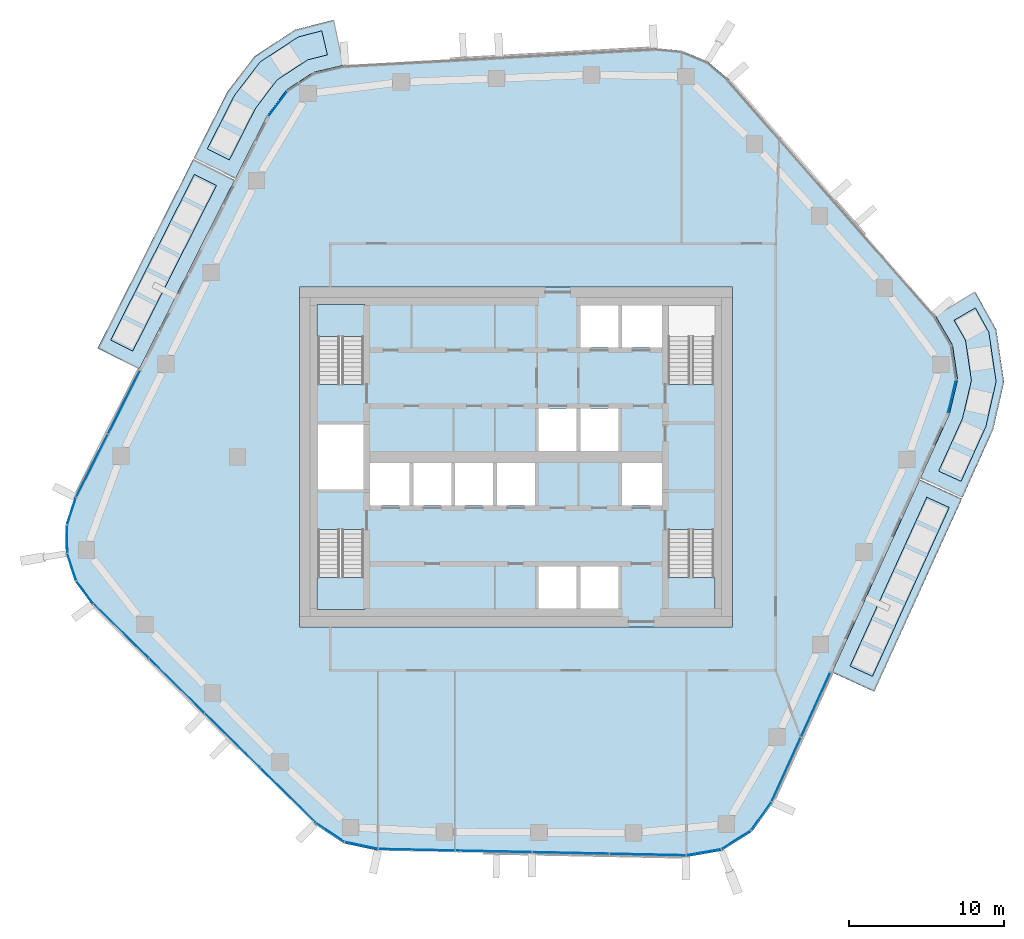
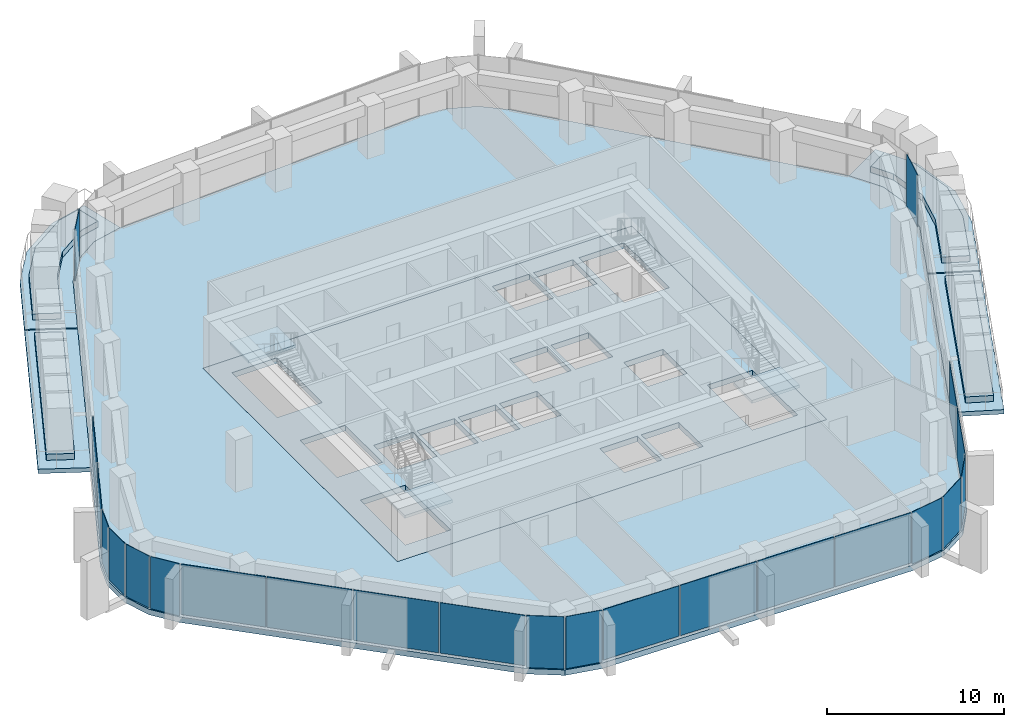
# One storey, part 9 of 21: 23 plates, 13 slabs, 12 elements without a shape of their own.
"""IFC4 building model written with IfcOpenShell, lengths in metres."""

from ifc_helpers import new_model, si_unit, direction, frame, origin, origin_2d, place, context, subcontext, project, spatial, polyline, rectangle, outline, extrude, material, layer, layer_set, type_object, element, aggregate, save


model = new_model("IFC4")

# Units and contexts
model_context = context("Model", 3, precision=1e-05, world=origin(), true_north=direction((0.0, 1.0)))
body_context = subcontext(model_context, "Body", "Model", "MODEL_VIEW")
ifc_project = project(units=[si_unit("LENGTHUNIT", "METRE"), si_unit("AREAUNIT", "SQUARE_METRE"), si_unit("VOLUMEUNIT", "CUBIC_METRE"), si_unit("PLANEANGLEUNIT", "RADIAN"), si_unit("MASSUNIT", "GRAM", prefix="KILO")], contexts=[model_context])

# Site, building, storey
site_placement = place(None, origin())
site = spatial("IfcSite", under=ifc_project, at=site_placement, CompositionType="ELEMENT")
building_placement = place(site_placement, origin())
building = spatial("IfcBuilding", under=site, at=building_placement, Name="Dongbaek Canopy Tower", CompositionType="ELEMENT")
storey_placement = place(building_placement, frame((0.0, 0.0, 279.0)))
storey = spatial("IfcBuildingStorey", under=building, at=storey_placement, Name="L59", CompositionType="ELEMENT", Elevation=279.0)

# Slabs
ifc_material_1 = material(Name="Concrete C40/50", Category="concrete")
ifc_layer_1 = layer(ifc_material_1, 0.300048828125)
ifc_layer_set_1 = layer_set([ifc_layer_1], Name="Balcony slab 300")
slab_type_1 = type_object("IfcSlabType", Name="Balcony slab 300", PredefinedType="FLOOR", material=ifc_layer_set_1)
slab_1_placement = place(storey_placement, frame((0.0, 0.0, -0.300048828125)))
element("IfcSlab", 1, at=slab_1_placement, inside=storey, type_object=slab_type_1, Name="Balcony L59 1", PredefinedType="FLOOR", context=body_context, shape_type="SweptSolid", body=[
    extrude(outline(polyline([(-18.18701171875, 17.911865234375), (-24.368408203125, 5.680419921875), (-27.0458984375, 7.03369140625), (-20.864501953125, 19.26513671875), (-18.18701171875, 17.911865234375)])), origin(), (0.0, 0.0, 1.0), 0.300048828125),
])
slab_2_placement = place(storey_placement, frame((0.0, 0.0, -0.300048828125)))
element("IfcSlab", 2, at=slab_2_placement, inside=storey, type_object=slab_type_1, Name="Balcony L59 4", PredefinedType="FLOOR", context=body_context, shape_type="SweptSolid", body=[
    extrude(outline(polyline([(-11.111572265625, 25.3369140625), (-13.093505859375, 24.873779296875), (-14.839111328125, 23.73291015625), (-16.0888671875, 22.0634765625), (-18.141845703125, 18.001220703125), (-20.8193359375, 19.354248046875), (-18.63818359375, 23.64501953125), (-16.891845703125, 25.920654296875), (-14.2734375, 27.632080078125), (-11.794189453125, 28.258056640625), (-11.111572265625, 25.3369140625)])), origin(), (0.0, 0.0, 1.0), 0.300048828125),
])
slab_3_placement = place(storey_placement, frame((0.0, 0.0, -0.300048828125)))
element("IfcSlab", 3, at=slab_3_placement, inside=storey, type_object=slab_type_1, Name="Balcony L59 2", PredefinedType="FLOOR", context=body_context, shape_type="SweptSolid", body=[
    extrude(outline(polyline([(20.439208984375, -13.92578125), (26.107177734375, -1.45751953125), (28.838134765625, -2.698974609375), (23.170166015625, -15.167236328125), (20.439208984375, -13.92578125)])), origin(), (0.0, 0.0, 1.0), 0.300048828125),
])
slab_4_placement = place(storey_placement, frame((0.0, 0.0, -0.300048828125)))
element("IfcSlab", 4, at=slab_4_placement, inside=storey, type_object=slab_type_1, Name="Balcony L59 3", PredefinedType="FLOOR", context=body_context, shape_type="SweptSolid", body=[
    extrude(outline(polyline([(26.1484375, -1.366455078125), (28.031005859375, 2.7744140625), (28.562744140625, 4.989501953125), (28.230712890625, 7.243408203125), (27.107421875, 9.167724609375), (29.698486328125, 10.679931640625), (31.0615234375, 8.236328125), (31.559814453125, 4.855712890625), (30.867919921875, 1.799072265625), (28.879638671875, -2.60791015625), (26.1484375, -1.366455078125)])), origin(), (0.0, 0.0, 1.0), 0.300048828125),
])

# Curtain wall, plate
ifc_material_2 = material(Name="Aluminium 6063-T6 pale anodised", Category="aluminium")
ifc_layer_2 = layer(ifc_material_2, 0.199951171875)
ifc_layer_set_2 = layer_set([ifc_layer_2], Name="CW-1 unitised tower curtain wall")
curtain_wall_type = type_object("IfcCurtainWallType", Name="CW-1 unitised tower curtain wall", PredefinedType="NOTDEFINED", material=ifc_layer_set_2)
curtain_wall_1_placement = place(storey_placement, origin())
curtain_wall_1 = element("IfcCurtainWall", 5, at=curtain_wall_1_placement, inside=storey, type_object=curtain_wall_type, Name="CW-1 curtain wall K0.1", PredefinedType="NOTDEFINED")
ifc_material_3 = material(Name="Clear laminated glass", Category="glass")
ifc_layer_3 = layer(ifc_material_3, 0.028076171875)
ifc_layer_set_3 = layer_set([ifc_layer_3], Name="CW-1 glazed panel 28")
plate_type = type_object("IfcPlateType", Name="CW-1 glazed panel 28", PredefinedType="CURTAIN_PANEL", material=ifc_layer_set_3)
plate_1_placement = place(storey_placement, frame((28.198486328125, 3.900634765625, 0.0), z_axis=(0.0, 0.0, 1.0), x_axis=(0.233489870394, 0.972359234246, 0.0)))
plate_1 = element("IfcPlate", 6, at=plate_1_placement, type_object=plate_type, Name="CW-1 panel K0.1.1.1", PredefinedType="CURTAIN_PANEL", context=body_context, shape_type="SweptSolid", body=[
    extrude(rectangle(XDim=2.165283203125, YDim=0.028076171875, at=origin_2d()), origin(), (0.0, 0.0, 1.0), 3.60009765625),
])
aggregate(curtain_wall_1, [plate_1])

curtain_wall_2_placement = place(storey_placement, origin())
curtain_wall_2 = element("IfcCurtainWall", 7, at=curtain_wall_2_placement, inside=storey, type_object=curtain_wall_type, Name="CW-1 curtain wall K2.1b", PredefinedType="NOTDEFINED")
plate_2_placement = place(storey_placement, frame((-15.38671875, 22.834716796875, 0.0), z_axis=(0.0, 0.0, 1.0), x_axis=(-0.599281765979, -0.800538172085, 0.0)))
plate_2 = element("IfcPlate", 8, at=plate_2_placement, type_object=plate_type, Name="CW-1 panel K2.1b.2.1", PredefinedType="CURTAIN_PANEL", context=body_context, shape_type="SweptSolid", body=[
    extrude(rectangle(XDim=1.974853515625, YDim=0.028076171875, at=origin_2d()), origin(), (0.0, 0.0, 1.0), 3.60009765625),
])
aggregate(curtain_wall_2, [plate_2])

# Curtain wall, plates
curtain_wall_3_placement = place(storey_placement, origin())
curtain_wall_3 = element("IfcCurtainWall", 9, at=curtain_wall_3_placement, inside=storey, type_object=curtain_wall_type, Name="CW-1 curtain wall F2.1", PredefinedType="NOTDEFINED")
plate_3_placement = place(storey_placement, frame((-25.339599609375, 3.537353515625, 0.1201171875), z_axis=(0.0, 0.0, 1.0), x_axis=(-0.45104664665, -0.892500376776, 0.0)))
plate_3 = element("IfcPlate", 10, at=plate_3_placement, type_object=plate_type, Name="CW-1 panel F2.1.1.1", PredefinedType="CURTAIN_PANEL", context=body_context, shape_type="SweptSolid", body=[
    extrude(rectangle(XDim=4.517578125, YDim=0.028076171875, at=origin_2d()), origin(), (0.0, 0.0, 1.0), 3.47998046875),
])
plate_4_placement = place(storey_placement, frame((-27.413330078125, -0.566162109375, 0.1201171875), z_axis=(0.0, 0.0, 1.0), x_axis=(-0.45104664665, -0.892500376776, 0.0)))
plate_4 = element("IfcPlate", 11, at=plate_4_placement, type_object=plate_type, Name="CW-1 panel F2.1.2.1", PredefinedType="CURTAIN_PANEL", context=body_context, shape_type="SweptSolid", body=[
    extrude(rectangle(XDim=4.509765625, YDim=0.028076171875, at=origin_2d()), origin(), (0.0, 0.0, 1.0), 3.47998046875),
])
aggregate(curtain_wall_3, [plate_3, plate_4])

curtain_wall_4_placement = place(storey_placement, origin())
curtain_wall_4 = element("IfcCurtainWall", 12, at=curtain_wall_4_placement, inside=storey, type_object=curtain_wall_type, Name="CW-1 curtain wall K3.1", PredefinedType="NOTDEFINED")
plate_5_placement = place(storey_placement, frame((-28.733154296875, -3.501708984375, 0.0), z_axis=(0.0, 0.0, 1.0), x_axis=(-0.305351815211, -0.952239606899, 0.0)))
plate_5 = element("IfcPlate", 13, at=plate_5_placement, type_object=plate_type, Name="CW-1 panel K3.1.1.1", PredefinedType="CURTAIN_PANEL", context=body_context, shape_type="SweptSolid", body=[
    extrude(rectangle(XDim=1.77587890625, YDim=0.028076171875, at=origin_2d()), origin(), (0.0, 0.0, 1.0), 3.60009765625),
])
plate_6_placement = place(storey_placement, frame((-29.0126953125, -5.313232421875, 0.0), z_axis=(0.0, 0.0, 1.0), x_axis=(0.00495178486, -0.999987739838, 0.0)))
plate_6 = element("IfcPlate", 14, at=plate_6_placement, type_object=plate_type, Name="CW-1 panel K3.1.2.1", PredefinedType="CURTAIN_PANEL", context=body_context, shape_type="SweptSolid", body=[
    extrude(rectangle(XDim=1.76806640625, YDim=0.028076171875, at=origin_2d()), origin(), (0.0, 0.0, 1.0), 3.60009765625),
])
plate_7_placement = place(storey_placement, frame((-28.716552734375, -7.117919921875, 0.0), z_axis=(0.0, 0.0, 1.0), x_axis=(0.314767296352, -0.949168872829, 0.0)))
plate_7 = element("IfcPlate", 15, at=plate_7_placement, type_object=plate_type, Name="CW-1 panel K3.1.3.1", PredefinedType="CURTAIN_PANEL", context=body_context, shape_type="SweptSolid", body=[
    extrude(rectangle(XDim=1.76806640625, YDim=0.028076171875, at=origin_2d()), origin(), (0.0, 0.0, 1.0), 3.60009765625),
])
plate_8_placement = place(storey_placement, frame((-27.873046875, -8.745361328125, 0.0), z_axis=(0.0, 0.0, 1.0), x_axis=(0.593556759378, -0.804792130551, 0.0)))
plate_8 = element("IfcPlate", 16, at=plate_8_placement, type_object=plate_type, Name="CW-1 panel K3.1.4.1", PredefinedType="CURTAIN_PANEL", context=body_context, shape_type="SweptSolid", body=[
    extrude(rectangle(XDim=1.77587890625, YDim=0.028076171875, at=origin_2d()), origin(), (0.0, 0.0, 1.0), 3.60009765625),
])
aggregate(curtain_wall_4, [plate_5, plate_6, plate_7, plate_8])

curtain_wall_5_placement = place(storey_placement, origin())
curtain_wall_5 = element("IfcCurtainWall", 17, at=curtain_wall_5_placement, inside=storey, type_object=curtain_wall_type, Name="CW-1 curtain wall F3.1", PredefinedType="NOTDEFINED")
plate_9_placement = place(storey_placement, frame((-25.525634765625, -11.261962890625, 0.1201171875), z_axis=(0.0, 0.0, 1.0), x_axis=(0.712532469596, -0.701639137856, 0.0)))
plate_9 = element("IfcPlate", 18, at=plate_9_placement, type_object=plate_type, Name="CW-1 panel F3.1.1.1", PredefinedType="CURTAIN_PANEL", context=body_context, shape_type="SweptSolid", body=[
    extrude(rectangle(XDim=4.9560546875, YDim=0.028076171875, at=origin_2d()), origin(), (0.0, 0.0, 1.0), 3.47998046875),
])
plate_10_placement = place(storey_placement, frame((-21.931640625, -14.80078125, 0.1201171875), z_axis=(0.0, 0.0, 1.0), x_axis=(0.712532469596, -0.701639137856, 0.0)))
plate_10 = element("IfcPlate", 19, at=plate_10_placement, type_object=plate_type, Name="CW-1 panel F3.1.2.1", PredefinedType="CURTAIN_PANEL", context=body_context, shape_type="SweptSolid", body=[
    extrude(rectangle(XDim=4.9638671875, YDim=0.028076171875, at=origin_2d()), origin(), (0.0, 0.0, 1.0), 3.47998046875),
])
plate_11_placement = place(storey_placement, frame((-18.334716796875, -18.3427734375, 0.1201171875), z_axis=(0.0, 0.0, 1.0), x_axis=(0.712532469596, -0.701639137856, 0.0)))
plate_11 = element("IfcPlate", 20, at=plate_11_placement, type_object=plate_type, Name="CW-1 panel F3.1.3.1", PredefinedType="CURTAIN_PANEL", context=body_context, shape_type="SweptSolid", body=[
    extrude(rectangle(XDim=4.9638671875, YDim=0.028076171875, at=origin_2d()), origin(), (0.0, 0.0, 1.0), 3.47998046875),
])
plate_12_placement = place(storey_placement, frame((-14.741455078125, -21.881103515625, 0.1201171875), z_axis=(0.0, 0.0, 1.0), x_axis=(0.712532469596, -0.701639137856, 0.0)))
plate_12 = element("IfcPlate", 21, at=plate_12_placement, type_object=plate_type, Name="CW-1 panel F3.1.4.1", PredefinedType="CURTAIN_PANEL", context=body_context, shape_type="SweptSolid", body=[
    extrude(rectangle(XDim=4.954345703125, YDim=0.028076171875, at=origin_2d()), origin(), (0.0, 0.0, 1.0), 3.47998046875),
])
aggregate(curtain_wall_5, [plate_9, plate_10, plate_11, plate_12])

curtain_wall_6_placement = place(storey_placement, origin())
curtain_wall_6 = element("IfcCurtainWall", 22, at=curtain_wall_6_placement, inside=storey, type_object=curtain_wall_type, Name="CW-1 curtain wall K4.1", PredefinedType="NOTDEFINED")
plate_13_placement = place(storey_placement, frame((-12.019287109375, -24.267333984375, 0.0), z_axis=(0.0, 0.0, 1.0), x_axis=(0.831826352547, -0.555035962085, 0.0)))
plate_13 = element("IfcPlate", 23, at=plate_13_placement, type_object=plate_type, Name="CW-1 panel K4.1.1.1", PredefinedType="CURTAIN_PANEL", context=body_context, shape_type="SweptSolid", body=[
    extrude(rectangle(XDim=2.145263671875, YDim=0.028076171875, at=origin_2d()), origin(), (0.0, 0.0, 1.0), 3.60009765625),
])
plate_14_placement = place(storey_placement, frame((-10.001953125, -25.1181640625, 0.0), z_axis=(0.0, 0.0, 1.0), x_axis=(0.978066772514, -0.208291594896, 0.0)))
plate_14 = element("IfcPlate", 24, at=plate_14_placement, type_object=plate_type, Name="CW-1 panel K4.1.2.1", PredefinedType="CURTAIN_PANEL", context=body_context, shape_type="SweptSolid", body=[
    extrude(rectangle(XDim=2.145263671875, YDim=0.028076171875, at=origin_2d()), origin(), (0.0, 0.0, 1.0), 3.60009765625),
])
aggregate(curtain_wall_6, [plate_13, plate_14])

curtain_wall_7_placement = place(storey_placement, origin())
curtain_wall_7 = element("IfcCurtainWall", 25, at=curtain_wall_7_placement, inside=storey, type_object=curtain_wall_type, Name="CW-1 curtain wall F4.1", PredefinedType="NOTDEFINED")
plate_15_placement = place(storey_placement, frame((-6.422607421875, -25.401611328125, 0.1201171875), z_axis=(0.0, 0.0, 1.0), x_axis=(0.999789086726, -0.020537333389, 0.0)))
plate_15 = element("IfcPlate", 26, at=plate_15_placement, type_object=plate_type, Name="CW-1 panel F4.1.1.1", PredefinedType="CURTAIN_PANEL", context=body_context, shape_type="SweptSolid", body=[
    extrude(rectangle(XDim=4.89501953125, YDim=0.028076171875, at=origin_2d()), origin(), (0.0, 0.0, 1.0), 3.47998046875),
])
plate_16_placement = place(storey_placement, frame((-1.43994140625, -25.50390625, 0.1201171875), z_axis=(0.0, 0.0, 1.0), x_axis=(0.999789086726, -0.020537333389, 0.0)))
plate_16 = element("IfcPlate", 27, at=plate_16_placement, type_object=plate_type, Name="CW-1 panel F4.1.2.1", PredefinedType="CURTAIN_PANEL", context=body_context, shape_type="SweptSolid", body=[
    extrude(rectangle(XDim=4.904541015625, YDim=0.028076171875, at=origin_2d()), origin(), (0.0, 0.0, 1.0), 3.47998046875),
])
plate_17_placement = place(storey_placement, frame((3.547607421875, -25.606201171875, 0.1201171875), z_axis=(0.0, 0.0, 1.0), x_axis=(0.999789086726, -0.020537333389, 0.0)))
plate_17 = element("IfcPlate", 28, at=plate_17_placement, type_object=plate_type, Name="CW-1 panel F4.1.3.1", PredefinedType="CURTAIN_PANEL", context=body_context, shape_type="SweptSolid", body=[
    extrude(rectangle(XDim=4.904541015625, YDim=0.028076171875, at=origin_2d()), origin(), (0.0, 0.0, 1.0), 3.47998046875),
])
plate_18_placement = place(storey_placement, frame((8.5302734375, -25.708740234375, 0.1201171875), z_axis=(0.0, 0.0, 1.0), x_axis=(0.999789086726, -0.020537333389, 0.0)))
plate_18 = element("IfcPlate", 29, at=plate_18_placement, type_object=plate_type, Name="CW-1 panel F4.1.4.1", PredefinedType="CURTAIN_PANEL", context=body_context, shape_type="SweptSolid", body=[
    extrude(rectangle(XDim=4.894775390625, YDim=0.028076171875, at=origin_2d()), origin(), (0.0, 0.0, 1.0), 3.47998046875),
])
aggregate(curtain_wall_7, [plate_15, plate_16, plate_17, plate_18])

curtain_wall_8_placement = place(storey_placement, origin())
curtain_wall_8 = element("IfcCurtainWall", 30, at=curtain_wall_8_placement, inside=storey, type_object=curtain_wall_type, Name="CW-1 curtain wall K5.1", PredefinedType="NOTDEFINED")
plate_19_placement = place(storey_placement, frame((12.144775390625, -25.5625, 0.0), z_axis=(0.0, 0.0, 1.0), x_axis=(0.984973986697, 0.172702766422, 0.0)))
plate_19 = element("IfcPlate", 31, at=plate_19_placement, type_object=plate_type, Name="CW-1 panel K5.1.1.1", PredefinedType="CURTAIN_PANEL", context=body_context, shape_type="SweptSolid", body=[
    extrude(rectangle(XDim=2.201416015625, YDim=0.028076171875, at=origin_2d()), origin(), (0.0, 0.0, 1.0), 3.60009765625),
])
plate_20_placement = place(storey_placement, frame((14.233154296875, -24.759033203125, 0.0), z_axis=(0.0, 0.0, 1.0), x_axis=(0.846299422281, 0.532707506843, 0.0)))
plate_20 = element("IfcPlate", 32, at=plate_20_placement, type_object=plate_type, Name="CW-1 panel K5.1.2.1", PredefinedType="CURTAIN_PANEL", context=body_context, shape_type="SweptSolid", body=[
    extrude(rectangle(XDim=2.19140625, YDim=0.028076171875, at=origin_2d()), origin(), (0.0, 0.0, 1.0), 3.60009765625),
])
plate_21_placement = place(storey_placement, frame((15.860595703125, -23.223388671875, 0.0), z_axis=(0.0, 0.0, 1.0), x_axis=(0.581666689077, 0.813427232651, 0.0)))
plate_21 = element("IfcPlate", 33, at=plate_21_placement, type_object=plate_type, Name="CW-1 panel K5.1.3.1", PredefinedType="CURTAIN_PANEL", context=body_context, shape_type="SweptSolid", body=[
    extrude(rectangle(XDim=2.201416015625, YDim=0.028076171875, at=origin_2d()), origin(), (0.0, 0.0, 1.0), 3.60009765625),
])
aggregate(curtain_wall_8, [plate_19, plate_20, plate_21])

curtain_wall_9_placement = place(storey_placement, origin())
curtain_wall_9 = element("IfcCurtainWall", 34, at=curtain_wall_9_placement, inside=storey, type_object=curtain_wall_type, Name="CW-1 curtain wall F5.1", PredefinedType="NOTDEFINED")
plate_22_placement = place(storey_placement, frame((17.474853515625, -20.205078125, 0.1201171875), z_axis=(0.0, 0.0, 1.0), x_axis=(0.413836521549, 0.91035121433, 0.0)))
plate_22 = element("IfcPlate", 35, at=plate_22_placement, type_object=plate_type, Name="CW-1 panel F5.1.1.1", PredefinedType="CURTAIN_PANEL", context=body_context, shape_type="SweptSolid", body=[
    extrude(rectangle(XDim=4.5048828125, YDim=0.028076171875, at=origin_2d()), origin(), (0.0, 0.0, 1.0), 3.47998046875),
])
plate_23_placement = place(storey_placement, frame((19.375732421875, -16.023193359375, 0.1201171875), z_axis=(0.0, 0.0, 1.0), x_axis=(0.413836521549, 0.91035121433, 0.0)))
plate_23 = element("IfcPlate", 36, at=plate_23_placement, type_object=plate_type, Name="CW-1 panel F5.1.2.1", PredefinedType="CURTAIN_PANEL", context=body_context, shape_type="SweptSolid", body=[
    extrude(rectangle(XDim=4.5146484375, YDim=0.028076171875, at=origin_2d()), origin(), (0.0, 0.0, 1.0), 3.47998046875),
])
aggregate(curtain_wall_9, [plate_22, plate_23])

# Slab
ifc_material_4 = material(Name="Concrete C40/50", Category="concrete")
ifc_layer_4 = layer(ifc_material_4, 0.3798828125)
ifc_layer_set_4 = layer_set([ifc_layer_4], Name="Core floor slab 380 Concrete C40/50")
slab_type_2 = type_object("IfcSlabType", Name="Core floor slab 380 Concrete C40/50", PredefinedType="FLOOR", material=ifc_layer_set_4)
slab_5_placement = place(storey_placement, frame((0.0, 0.0, -0.3798828125)))
element("IfcSlab", 37, at=slab_5_placement, inside=storey, type_object=slab_type_2, Name="Core floor slab L59", PredefinedType="FLOOR", context=body_context, shape_type="SweptSolid", body=[
    extrude(outline(polyline([(14.0, -11.0), (14.0, 11.0), (-14.0, 11.0), (-14.0, -11.0), (14.0, -11.0)]), holes=[polyline([(-12.800048828125, 2.10009765625), (-9.85009765625, 2.10009765625), (-9.85009765625, -2.10009765625), (-12.800048828125, -2.10009765625), (-12.800048828125, 2.10009765625)]), polyline([(6.625, 9.800048828125), (6.625, 7.074951171875), (4.175048828125, 7.074951171875), (4.175048828125, 9.800048828125), (6.625, 9.800048828125)]), polyline([(9.449951171875, 7.074951171875), (6.875, 7.074951171875), (6.875, 9.800048828125), (9.449951171875, 9.800048828125), (9.449951171875, 7.074951171875)]), polyline([(3.925048828125, 3.125), (3.925048828125, 0.39990234375), (1.47509765625, 0.39990234375), (1.47509765625, 3.125), (3.925048828125, 3.125)]), polyline([(4.175048828125, 3.125), (6.625, 3.125), (6.625, 0.39990234375), (4.175048828125, 0.39990234375), (4.175048828125, 3.125)]), polyline([(-9.449951171875, -0.39990234375), (-6.875, -0.39990234375), (-6.875, -3.125), (-9.449951171875, -3.125), (-9.449951171875, -0.39990234375)]), polyline([(-6.625, -0.39990234375), (-4.175048828125, -0.39990234375), (-4.175048828125, -3.125), (-6.625, -3.125), (-6.625, -0.39990234375)]), polyline([(-3.925048828125, -0.39990234375), (-1.47509765625, -0.39990234375), (-1.47509765625, -3.125), (-3.925048828125, -3.125), (-3.925048828125, -0.39990234375)]), polyline([(-1.22509765625, -0.39990234375), (1.22509765625, -0.39990234375), (1.22509765625, -3.125), (-1.22509765625, -3.125), (-1.22509765625, -0.39990234375)]), polyline([(9.449951171875, -3.125), (6.875, -3.125), (6.875, -0.39990234375), (9.449951171875, -0.39990234375), (9.449951171875, -3.125)]), polyline([(1.47509765625, -9.800048828125), (1.47509765625, -7.074951171875), (3.925048828125, -7.074951171875), (3.925048828125, -9.800048828125), (1.47509765625, -9.800048828125)]), polyline([(4.175048828125, -9.800048828125), (4.175048828125, -7.074951171875), (6.625, -7.074951171875), (6.625, -9.800048828125), (4.175048828125, -9.800048828125)]), polyline([(12.800048828125, 4.70068359375), (12.800048828125, 9.800048828125), (9.85009765625, 9.800048828125), (9.85009765625, 4.70068359375), (12.800048828125, 4.70068359375)]), polyline([(-9.85009765625, 4.70068359375), (-9.85009765625, 9.800048828125), (-12.800048828125, 9.800048828125), (-12.800048828125, 4.70068359375), (-9.85009765625, 4.70068359375)]), polyline([(9.85009765625, -4.70068359375), (9.85009765625, -9.800048828125), (12.800048828125, -9.800048828125), (12.800048828125, -4.70068359375), (9.85009765625, -4.70068359375)]), polyline([(-12.800048828125, -4.70068359375), (-12.800048828125, -9.800048828125), (-9.85009765625, -9.800048828125), (-9.85009765625, -4.70068359375), (-12.800048828125, -4.70068359375)])]), origin(), (0.0, 0.0, 1.0), 0.3798828125),
])

# Stair, slab
ifc_material_5 = material(Name="Concrete C40/50", Category="concrete")
stair_type = type_object("IfcStairType", Name="Core exit stair", PredefinedType="HALF_TURN_STAIR", material=ifc_material_5)
stair_1_placement = place(storey_placement, origin())
stair_1 = element("IfcStair", 38, at=stair_1_placement, inside=storey, type_object=stair_type, Name="L59 exit stair C", PredefinedType="HALF_TURN_STAIR")
ifc_material_6 = material(Name="Concrete C40/50", Category="concrete")
ifc_layer_5 = layer(ifc_material_6, 0.199951171875)
ifc_layer_set_5 = layer_set([ifc_layer_5], Name="Core stair landing 200")
slab_type_3 = type_object("IfcSlabType", Name="Core stair landing 200", PredefinedType="LANDING", material=ifc_layer_set_5)
slab_6_placement = place(storey_placement, frame((0.0, 0.0, 1.89990234375)))
slab_6 = element("IfcSlab", 39, at=slab_6_placement, type_object=slab_type_3, Name="ST-C landing 1", PredefinedType="LANDING", context=body_context, shape_type="SweptSolid", body=[
    extrude(outline(polyline([(-9.77490234375, 7.780029296875), (-9.77490234375, 9.875), (-12.875, 9.875), (-12.875, 7.780029296875), (-9.77490234375, 7.780029296875)])), origin(), (0.0, 0.0, 1.0), 0.2001953125),
])
aggregate(stair_1, [slab_6])

stair_2_placement = place(storey_placement, origin())
stair_2 = element("IfcStair", 40, at=stair_2_placement, inside=storey, type_object=stair_type, Name="L59 exit stair B", PredefinedType="HALF_TURN_STAIR")
slab_7_placement = place(storey_placement, frame((0.0, 0.0, 1.89990234375)))
slab_7 = element("IfcSlab", 41, at=slab_7_placement, type_object=slab_type_3, Name="ST-B landing 1", PredefinedType="LANDING", context=body_context, shape_type="SweptSolid", body=[
    extrude(outline(polyline([(9.77490234375, -7.780029296875), (9.77490234375, -9.875), (12.875, -9.875), (12.875, -7.780029296875), (9.77490234375, -7.780029296875)])), origin(), (0.0, 0.0, 1.0), 0.2001953125),
])
aggregate(stair_2, [slab_7])

stair_3_placement = place(storey_placement, origin())
stair_3 = element("IfcStair", 42, at=stair_3_placement, inside=storey, type_object=stair_type, Name="L59 exit stair D", PredefinedType="HALF_TURN_STAIR")
slab_8_placement = place(storey_placement, frame((0.0, 0.0, 1.89990234375)))
slab_8 = element("IfcSlab", 43, at=slab_8_placement, type_object=slab_type_3, Name="ST-D landing 1", PredefinedType="LANDING", context=body_context, shape_type="SweptSolid", body=[
    extrude(outline(polyline([(-12.875, -7.780029296875), (-12.875, -9.875), (-9.77490234375, -9.875), (-9.77490234375, -7.780029296875), (-12.875, -7.780029296875)])), origin(), (0.0, 0.0, 1.0), 0.2001953125),
])
aggregate(stair_3, [slab_8])

# Slabs
ifc_material_7 = material(Name="Concrete C40", Category="concrete")
ifc_layer_6 = layer(ifc_material_7, 0.3798828125)
ifc_layer_set_6 = layer_set([ifc_layer_6], Name="RC FLAT PLATE 380 Concrete C40")
slab_type_4 = type_object("IfcSlabType", Name="RC FLAT PLATE 380 Concrete C40", PredefinedType="FLOOR", material=ifc_layer_set_6)
slab_9_placement = place(storey_placement, frame((0.0, 0.0, -0.3798828125)))
element("IfcSlab", 44, at=slab_9_placement, inside=storey, type_object=slab_type_4, Name="SLAB:L59", PredefinedType="FLOOR", context=body_context, shape_type="SweptSolid", body=[
    extrude(outline(polyline([(16.6123046875, -22.34423828125), (15.265869140625, -24.22705078125), (13.306884765625, -25.460205078125), (11.02685546875, -25.860107421875), (-8.923095703125, -25.4501953125), (-11.131591796875, -24.979736328125), (-13.009765625, -23.7265625), (-27.39697265625, -9.5595703125), (-28.514892578125, -8.04345703125), (-29.10791015625, -6.255615234375), (-29.1171875, -4.371826171875), (-28.5419921875, -2.577880859375), (-16.0888671875, 22.0634765625), (-14.839111328125, 23.73291015625), (-13.093505859375, 24.873779296875), (-11.06298828125, 25.34814453125), (8.928466796875, 26.446044921875), (10.725830078125, 26.272705078125), (12.390380859375, 25.572265625), (13.77099609375, 24.408447265625), (27.082275390625, 9.210693359375), (28.230712890625, 7.243408203125), (28.562744140625, 4.989501953125), (28.031005859375, 2.7744140625), (16.6123046875, -22.34423828125)]), holes=[polyline([(14.0, 11.0), (-14.0, 11.0), (-14.0, -11.0), (14.0, -11.0), (14.0, 11.0)])]), origin(), (0.0, 0.0, 1.0), 0.3798828125),
])
ifc_material_8 = material(Name="Reinforced concrete C40/50 planter box with soil", Category="concrete")
ifc_layer_7 = layer(ifc_material_8, 0.419921875)
ifc_layer_set_7 = layer_set([ifc_layer_7], Name="Terrace planter box 1600 x 420")
slab_type_5 = type_object("IfcSlabType", Name="Terrace planter box 1600 x 420", PredefinedType="USERDEFINED", material=ifc_layer_set_7)
slab_10_placement = place(storey_placement, origin())
element("IfcSlab", 45, at=slab_10_placement, inside=storey, type_object=slab_type_5, Name="Balcony planter L59 1", ObjectType="PLANTER", PredefinedType="USERDEFINED", context=body_context, shape_type="SweptSolid", body=[
    extrude(outline(polyline([(-19.36474609375, 17.5546875), (-24.779296875, 6.840576171875), (-26.20751953125, 7.562255859375), (-20.792724609375, 18.2763671875), (-19.36474609375, 17.5546875)])), origin(), (0.0, 0.0, 1.0), 0.419921875),
])
slab_11_placement = place(storey_placement, origin())
element("IfcSlab", 46, at=slab_11_placement, inside=storey, type_object=slab_type_5, Name="Balcony planter L59 4", ObjectType="PLANTER", PredefinedType="USERDEFINED", context=body_context, shape_type="SweptSolid", body=[
    extrude(outline(polyline([(-12.1904296875, 25.998779296875), (-13.443603515625, 25.69189453125), (-15.4482421875, 24.3818359375), (-16.84521484375, 22.53271484375), (-18.5302734375, 19.205810546875), (-19.958251953125, 19.927490234375), (-18.204833984375, 23.376220703125), (-16.54296875, 25.548828125), (-14.07275390625, 27.1630859375), (-12.554443359375, 27.556640625), (-12.1904296875, 25.998779296875)])), origin(), (0.0, 0.0, 1.0), 0.419921875),
])
slab_12_placement = place(storey_placement, origin())
element("IfcSlab", 47, at=slab_12_placement, inside=storey, type_object=slab_type_5, Name="Balcony planter L59 2", ObjectType="PLANTER", PredefinedType="USERDEFINED", context=body_context, shape_type="SweptSolid", body=[
    extrude(outline(polyline([(21.60107421875, -13.520263671875), (26.565673828125, -2.599609375), (28.022216796875, -3.26171875), (23.0576171875, -14.182373046875), (21.60107421875, -13.520263671875)])), origin(), (0.0, 0.0, 1.0), 0.419921875),
])
slab_13_placement = place(storey_placement, origin())
element("IfcSlab", 48, at=slab_13_placement, inside=storey, type_object=slab_type_5, Name="Balcony planter L59 3", ObjectType="PLANTER", PredefinedType="USERDEFINED", context=body_context, shape_type="SweptSolid", body=[
    extrude(outline(polyline([(27.3310546875, -0.91552734375), (28.87255859375, 2.485107421875), (29.451904296875, 4.949951171875), (29.070556640625, 7.537841796875), (28.329833984375, 8.8388671875), (29.711669921875, 9.6455078125), (30.580322265625, 8.0673828125), (31.05029296875, 4.87841796875), (30.3857421875, 1.96484375), (28.787841796875, -1.57763671875), (27.3310546875, -0.91552734375)])), origin(), (0.0, 0.0, 1.0), 0.419921875),
])

save(model, "model.ifc")
